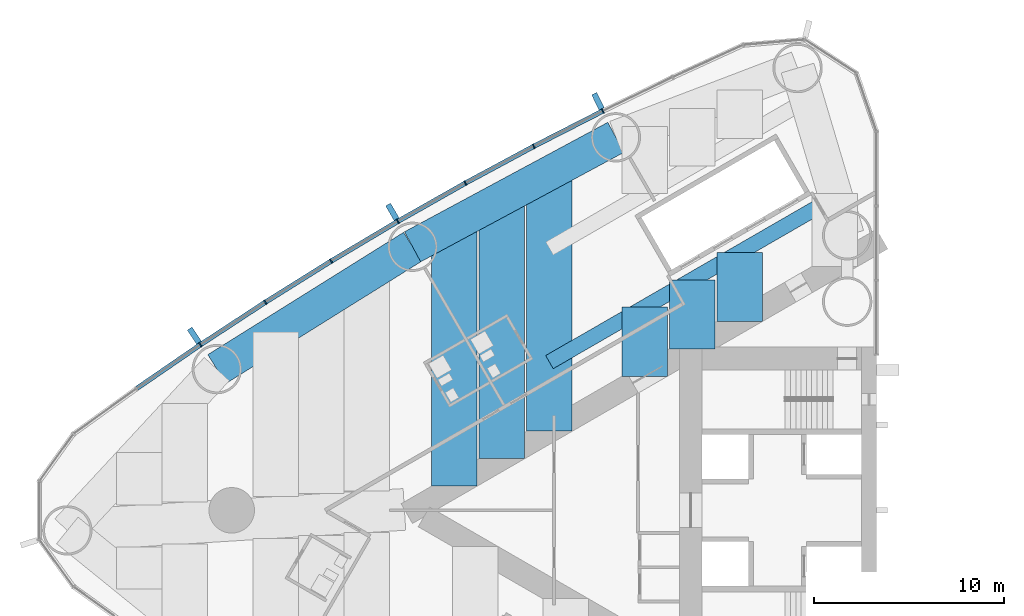
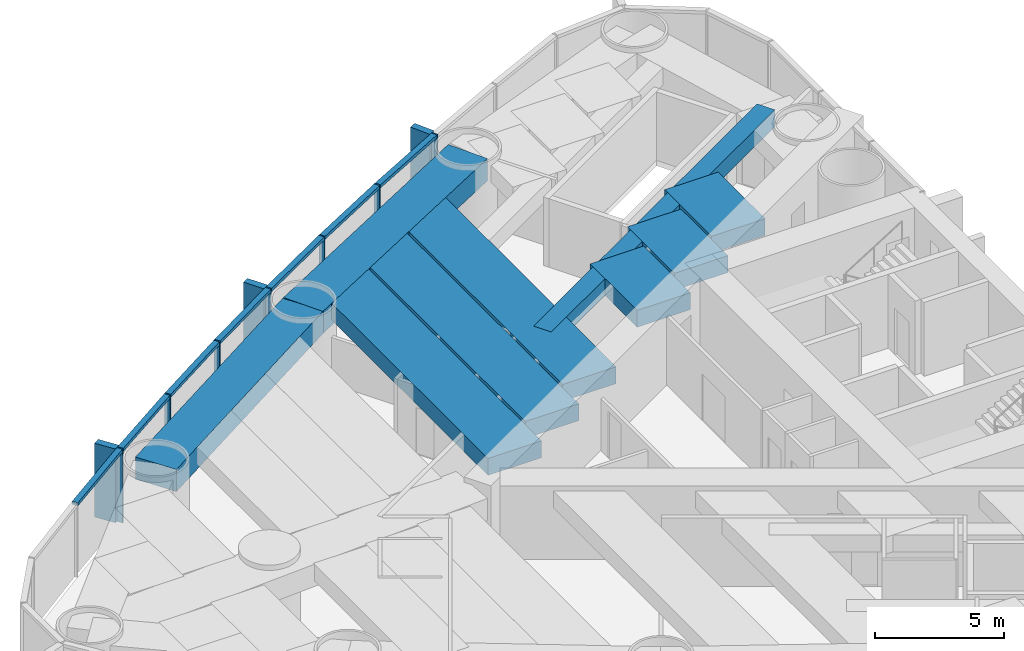
# One storey, part 4 of 18: 17 members, 9 beams, 1 element without a shape of its own.
"""IFC4 building model written with IfcOpenShell, lengths in metres."""

from ifc_helpers import new_model, si_unit, direction, frame, origin, origin_2d, place, context, subcontext, project, spatial, rectangle, hollow_rectangle, extrude, material, material_profile, profile_set, type_object, element, aggregate, save


model = new_model("IFC4")

# Units and contexts
model_context = context("Model", 3, precision=1e-05, world=origin(), true_north=direction((0.0, 1.0)))
body_context = subcontext(model_context, "Body", "Model", "MODEL_VIEW")
ifc_project = project(units=[si_unit("LENGTHUNIT", "METRE"), si_unit("AREAUNIT", "SQUARE_METRE"), si_unit("VOLUMEUNIT", "CUBIC_METRE"), si_unit("PLANEANGLEUNIT", "RADIAN"), si_unit("MASSUNIT", "GRAM", prefix="KILO")], contexts=[model_context])

# Site, building, storey
site_placement = place(None, origin())
site = spatial("IfcSite", under=ifc_project, at=site_placement, CompositionType="ELEMENT")
building_placement = place(site_placement, origin())
building = spatial("IfcBuilding", under=site, at=building_placement, Name="Lancet Gate Hotel", CompositionType="ELEMENT")
storey_placement = place(building_placement, frame((0.0, 0.0, 118.60009765625)))
storey = spatial("IfcBuildingStorey", under=building, at=storey_placement, Name="L31", CompositionType="ELEMENT", Elevation=118.60009765625)

# Curtain wall, members
ifc_material_1 = material(Name="Aluminium curtain wall", Category="aluminium")
curtain_wall_type = type_object("IfcCurtainWallType", Name="Tower unitised curtain wall", PredefinedType="USERDEFINED", material=ifc_material_1)
curtain_wall_placement = place(storey_placement, origin())
curtain_wall = element("IfcCurtainWall", 1, at=curtain_wall_placement, inside=storey, type_object=curtain_wall_type, Name="T1 L31 curtain wall 1", ObjectType="UNITISED CURTAIN WALL", PredefinedType="USERDEFINED")
ifc_material_2 = material(Name="Aluminium mullion", Category="aluminium")
ifc_material_profile_1 = material_profile(ifc_material_2, rectangle(XDim=0.06494140625, YDim=0.25, at=origin_2d()), Name="MULLION 65x250")
ifc_profile_set_1 = profile_set([ifc_material_profile_1], Name="Aluminium mullion")
member_type_1 = type_object("IfcMemberType", Name="Aluminium mullion 65x250", PredefinedType="MULLION", material=ifc_profile_set_1)
member_1_placement = place(storey_placement, frame((-41.935302734375, 21.053466796875, 0.0), z_axis=(0.0, 0.0, 1.0), x_axis=(-0.895339445458, -0.445384415317, 0.0)))
member_1 = element("IfcMember", 2, at=member_1_placement, type_object=member_type_1, Name="T1 L31 curtain wall 1 mullion 9", PredefinedType="MULLION", context=body_context, shape_type="SweptSolid", body=[
    extrude(rectangle(XDim=0.06494140625, YDim=0.25, at=origin_2d()), origin(), (0.0, 0.0, 1.0), 3.5),
])
member_2_placement = place(storey_placement, frame((-45.578857421875, 19.19189453125, 0.0), z_axis=(0.0, 0.0, 1.0), x_axis=(-0.885544335517, -0.46455487279, 0.0)))
member_2 = element("IfcMember", 3, at=member_2_placement, type_object=member_type_1, Name="T1 L31 curtain wall 1 mullion 10", PredefinedType="MULLION", context=body_context, shape_type="SweptSolid", body=[
    extrude(rectangle(XDim=0.06494140625, YDim=0.25, at=origin_2d()), origin(), (0.0, 0.0, 1.0), 3.5),
])
member_3_placement = place(storey_placement, frame((-49.181640625, 17.252197265625, 0.0), z_axis=(0.0, 0.0, 1.0), x_axis=(-0.875338819507, -0.48351003202, 0.0)))
member_3 = element("IfcMember", 4, at=member_3_placement, type_object=member_type_1, Name="T1 L31 curtain wall 1 mullion 11", PredefinedType="MULLION", context=body_context, shape_type="SweptSolid", body=[
    extrude(rectangle(XDim=0.06494140625, YDim=0.25, at=origin_2d()), origin(), (0.0, 0.0, 1.0), 3.5),
])
member_4_placement = place(storey_placement, frame((-52.74169921875, 15.2353515625, 0.0), z_axis=(0.0, 0.0, 1.0), x_axis=(-0.86472762718, -0.502241108226, 0.0)))
member_4 = element("IfcMember", 5, at=member_4_placement, type_object=member_type_1, Name="T1 L31 curtain wall 1 mullion 12", PredefinedType="MULLION", context=body_context, shape_type="SweptSolid", body=[
    extrude(rectangle(XDim=0.06494140625, YDim=0.25, at=origin_2d()), origin(), (0.0, 0.0, 1.0), 3.5),
])
member_5_placement = place(storey_placement, frame((-56.257568359375, 13.142333984375, 0.0), z_axis=(0.0, 0.0, 1.0), x_axis=(-0.853715676299, -0.52073942048, 0.0)))
member_5 = element("IfcMember", 6, at=member_5_placement, type_object=member_type_1, Name="T1 L31 curtain wall 1 mullion 13", PredefinedType="MULLION", context=body_context, shape_type="SweptSolid", body=[
    extrude(rectangle(XDim=0.06494140625, YDim=0.25, at=origin_2d()), origin(), (0.0, 0.0, 1.0), 3.5),
])
member_6_placement = place(storey_placement, frame((-59.7275390625, 10.974365234375, 0.0), z_axis=(0.0, 0.0, 1.0), x_axis=(-0.84230807036, -0.538996395727, 0.0)))
member_6 = element("IfcMember", 7, at=member_6_placement, type_object=member_type_1, Name="T1 L31 curtain wall 1 mullion 14", PredefinedType="MULLION", context=body_context, shape_type="SweptSolid", body=[
    extrude(rectangle(XDim=0.06494140625, YDim=0.25, at=origin_2d()), origin(), (0.0, 0.0, 1.0), 3.5),
])
member_7_placement = place(storey_placement, frame((-63.14990234375, 8.73193359375, 0.0), z_axis=(0.0, 0.0, 1.0), x_axis=(-0.830510096234, -0.557003572747, 0.0)))
member_7 = element("IfcMember", 8, at=member_7_placement, type_object=member_type_1, Name="T1 L31 curtain wall 1 mullion 15", PredefinedType="MULLION", context=body_context, shape_type="SweptSolid", body=[
    extrude(rectangle(XDim=0.06494140625, YDim=0.25, at=origin_2d()), origin(), (0.0, 0.0, 1.0), 3.5),
])
ifc_material_3 = material(Name="Aluminium transom", Category="aluminium")
ifc_material_profile_2 = material_profile(ifc_material_3, rectangle(XDim=0.25, YDim=0.14990234375, at=origin_2d()), Name="TRANSOM 250x150")
ifc_profile_set_2 = profile_set([ifc_material_profile_2], Name="Aluminium transom")
member_type_2 = type_object("IfcMemberType", Name="Aluminium transom 250x150", PredefinedType="USERDEFINED", material=ifc_profile_set_2)
member_8_placement = place(storey_placement, frame((-41.96435546875, 21.038818359375, 3.4248046875), z_axis=(-0.89047617483, -0.455029869415, 0.0), x_axis=(0.455029869415, -0.89047617483, 0.0)))
member_8 = element("IfcMember", 9, at=member_8_placement, type_object=member_type_2, Name="T1 L31 curtain wall 1 transom 9", ObjectType="TRANSOM", PredefinedType="USERDEFINED", context=body_context, shape_type="SweptSolid", body=[
    extrude(rectangle(XDim=0.25, YDim=0.14990234375, at=origin_2d()), origin(), (0.0, 0.0, 1.0), 4.026611328125),
])
member_9_placement = place(storey_placement, frame((-45.607421875, 19.176513671875, 3.4248046875), z_axis=(-0.880498353192, -0.474049206335, 0.0), x_axis=(0.474049206335, -0.880498353192, 0.0)))
member_9 = element("IfcMember", 10, at=member_9_placement, type_object=member_type_2, Name="T1 L31 curtain wall 1 transom 10", ObjectType="TRANSOM", PredefinedType="USERDEFINED", context=body_context, shape_type="SweptSolid", body=[
    extrude(rectangle(XDim=0.25, YDim=0.14990234375, at=origin_2d()), origin(), (0.0, 0.0, 1.0), 4.02685546875),
])
member_10_placement = place(storey_placement, frame((-49.2099609375, 17.236083984375, 3.4248046875), z_axis=(-0.870091531013, -0.492890178091, 0.0), x_axis=(0.492890178091, -0.870091531013, 0.0)))
member_10 = element("IfcMember", 11, at=member_10_placement, type_object=member_type_2, Name="T1 L31 curtain wall 1 transom 11", ObjectType="TRANSOM", PredefinedType="USERDEFINED", context=body_context, shape_type="SweptSolid", body=[
    extrude(rectangle(XDim=0.25, YDim=0.14990234375, at=origin_2d()), origin(), (0.0, 0.0, 1.0), 4.026611328125),
])
member_11_placement = place(storey_placement, frame((-52.76953125, 15.21875, 3.4248046875), z_axis=(-0.859285270342, -0.511496651186, 0.0), x_axis=(0.511496651186, -0.859285270342, 0.0)))
member_11 = element("IfcMember", 12, at=member_11_placement, type_object=member_type_2, Name="T1 L31 curtain wall 1 transom 12", ObjectType="TRANSOM", PredefinedType="USERDEFINED", context=body_context, shape_type="SweptSolid", body=[
    extrude(rectangle(XDim=0.25, YDim=0.14990234375, at=origin_2d()), origin(), (0.0, 0.0, 1.0), 4.026611328125),
])
member_12_placement = place(storey_placement, frame((-56.28515625, 13.125244140625, 3.4248046875), z_axis=(-0.848049393821, -0.529917187531, 0.0), x_axis=(0.529917187531, -0.848049393821, 0.0)))
member_12 = element("IfcMember", 13, at=member_12_placement, type_object=member_type_2, Name="T1 L31 curtain wall 1 transom 13", ObjectType="TRANSOM", PredefinedType="USERDEFINED", context=body_context, shape_type="SweptSolid", body=[
    extrude(rectangle(XDim=0.25, YDim=0.14990234375, at=origin_2d()), origin(), (0.0, 0.0, 1.0), 4.026611328125),
])
member_13_placement = place(storey_placement, frame((-59.754638671875, 10.95654296875, 3.4248046875), z_axis=(-0.83645442085, -0.548036496815, 0.0), x_axis=(0.548036496815, -0.83645442085, 0.0)))
member_13 = element("IfcMember", 14, at=member_13_placement, type_object=member_type_2, Name="T1 L31 curtain wall 1 transom 14", ObjectType="TRANSOM", PredefinedType="USERDEFINED", context=body_context, shape_type="SweptSolid", body=[
    extrude(rectangle(XDim=0.25, YDim=0.14990234375, at=origin_2d()), origin(), (0.0, 0.0, 1.0), 4.026611328125),
])
member_14_placement = place(storey_placement, frame((-63.1767578125, 8.713623046875, 3.4248046875), z_axis=(-0.824455665247, -0.565926546508, 0.0), x_axis=(0.565926546508, -0.824455665247, 0.0)))
member_14 = element("IfcMember", 15, at=member_14_placement, type_object=member_type_2, Name="T1 L31 curtain wall 1 transom 15", ObjectType="TRANSOM", PredefinedType="USERDEFINED", context=body_context, shape_type="SweptSolid", body=[
    extrude(rectangle(XDim=0.25, YDim=0.14990234375, at=origin_2d()), origin(), (0.0, 0.0, 1.0), 4.026611328125),
])

# Beams
ifc_material_4 = material(Name="Concrete C50/60", Category="concrete")
ifc_material_profile_3 = material_profile(ifc_material_4, rectangle(XDim=1.800048828125, YDim=1.050048828125, at=origin_2d()), Name="RC 1800x1050")
ifc_profile_set_3 = profile_set([ifc_material_profile_3], Name="Concrete C50/60")
beam_type_1 = type_object("IfcBeamType", Name="Edge beam RC 1800x1050", PredefinedType="SPANDREL", material=ifc_profile_set_3)
for number, where, z_axis, x_axis, name in (
    (16, (-41.244873046875, 19.665771484375, 2.724853515625), (-0.880492350889, -0.474060354835, 0.0), (0.474060354835, -0.880492350889, 0.0), "T1 edge beam EB1 L31"),
    (17, (-51.963134765625, 13.89501953125, 2.724853515625), (-0.848062521637, -0.529896177939, 0.0), (0.529896177939, -0.848062521637, 0.0), "T1 edge beam EB1 L31"),
):
    element("IfcBeam", number, at=place(storey_placement, frame(where, z_axis=z_axis, x_axis=x_axis)), inside=storey, type_object=beam_type_1, Name=name, PredefinedType="SPANDREL", context=body_context, shape_type="SweptSolid", body=[
        extrude(rectangle(XDim=1.800048828125, YDim=1.050048828125, at=origin_2d()), origin(), (0.0, 0.0, 1.0), 12.173095703125),
    ])

# Member
ifc_material_5 = material(Name="Precast concrete C50/60", Category="concrete")
ifc_material_profile_4 = material_profile(ifc_material_5, rectangle(XDim=0.300048828125, YDim=0.89990234375, at=origin_2d()), Name="FIN 300x900")
ifc_profile_set_4 = profile_set([ifc_material_profile_4], Name="Precast concrete C50/60")
member_type_3 = type_object("IfcMemberType", Name="Exposed concrete fin 300x900", PredefinedType="USERDEFINED", material=ifc_profile_set_4)
member_15_placement = place(storey_placement, frame((-42.19140625, 21.568359375, 0.0), z_axis=(0.0, 0.0, 1.0), x_axis=(-0.895339445458, -0.445384415317, 0.0)))
member_15 = element("IfcMember", 18, at=member_15_placement, type_object=member_type_3, Name="T1 L31 curtain wall 1 fin 9", ObjectType="FIN", PredefinedType="USERDEFINED", context=body_context, shape_type="SweptSolid", body=[
    extrude(rectangle(XDim=0.300048828125, YDim=0.89990234375, at=origin_2d()), origin(), (0.0, 0.0, 1.0), 3.5),
])

member_16_placement = place(storey_placement, frame((-53.030517578125, 15.732666015625, 0.0), z_axis=(0.0, 0.0, 1.0), x_axis=(-0.86472762718, -0.502241108226, 0.0)))
member_16 = element("IfcMember", 19, at=member_16_placement, type_object=member_type_3, Name="T1 L31 curtain wall 1 fin 12", ObjectType="FIN", PredefinedType="USERDEFINED", context=body_context, shape_type="SweptSolid", body=[
    extrude(rectangle(XDim=0.300048828125, YDim=0.89990234375, at=origin_2d()), origin(), (0.0, 0.0, 1.0), 3.5),
])

member_17_placement = place(storey_placement, frame((-63.47021484375, 9.20947265625, 0.0), z_axis=(0.0, 0.0, 1.0), x_axis=(-0.830510096234, -0.557003572747, 0.0)))
member_17 = element("IfcMember", 20, at=member_17_placement, type_object=member_type_3, Name="T1 L31 curtain wall 1 fin 15", ObjectType="FIN", PredefinedType="USERDEFINED", context=body_context, shape_type="SweptSolid", body=[
    extrude(rectangle(XDim=0.300048828125, YDim=0.89990234375, at=origin_2d()), origin(), (0.0, 0.0, 1.0), 3.5),
])

aggregate(curtain_wall, [member_1, member_15, member_2, member_3, member_4, member_16, member_5, member_6, member_7, member_17, member_8, member_9, member_10, member_11, member_12, member_13, member_14])

# Beams
ifc_material_6 = material(Name="Concrete C50/60", Category="concrete")
ifc_material_profile_5 = material_profile(ifc_material_6, rectangle(XDim=2.39990234375, YDim=0.800048828125, at=origin_2d()), Name="RC 2400x800")
ifc_profile_set_5 = profile_set([ifc_material_profile_5], Name="Concrete C50/60")
beam_type_2 = type_object("IfcBeamType", Name="Floor beam RC 2400x800", PredefinedType="BEAM", material=ifc_profile_set_5)
beam_1_placement = place(storey_placement, frame((-44.747802734375, 17.77978515625, 2.849853515625), z_axis=(0.0, -1.0, 0.0), x_axis=(1.0, 0.0, 0.0)))
element("IfcBeam", 21, at=beam_1_placement, inside=storey, type_object=beam_type_2, Name="T1 floor beam F09S L31", PredefinedType="BEAM", context=body_context, shape_type="SweptSolid", body=[
    extrude(rectangle(XDim=2.39990234375, YDim=0.800048828125, at=origin_2d()), origin(), (0.0, 0.0, 1.0), 13.611083984375),
])
beam_2_placement = place(storey_placement, frame((-47.254638671875, 16.43017578125, 2.849853515625), z_axis=(0.0, -1.0, 0.0), x_axis=(1.0, 0.0, 0.0)))
element("IfcBeam", 22, at=beam_2_placement, inside=storey, type_object=beam_type_2, Name="T1 floor beam F10S L31", PredefinedType="BEAM", context=body_context, shape_type="SweptSolid", body=[
    extrude(rectangle(XDim=2.39990234375, YDim=0.800048828125, at=origin_2d()), origin(), (0.0, 0.0, 1.0), 13.708740234375),
])
beam_3_placement = place(storey_placement, frame((-49.761474609375, 15.08056640625, 2.849853515625), z_axis=(0.0, -1.0, 0.0), x_axis=(1.0, 0.0, 0.0)))
element("IfcBeam", 23, at=beam_3_placement, inside=storey, type_object=beam_type_2, Name="T1 floor beam F12S L31", PredefinedType="BEAM", context=body_context, shape_type="SweptSolid", body=[
    extrude(rectangle(XDim=2.39990234375, YDim=0.800048828125, at=origin_2d()), origin(), (0.0, 0.0, 1.0), 13.806396484375),
])
beam_4_placement = place(storey_placement, frame((-34.720458984375, 13.603759765625, 2.849853515625), z_axis=(0.0, -1.0, 0.0), x_axis=(1.0, 0.0, 0.0)))
element("IfcBeam", 24, at=beam_4_placement, inside=storey, type_object=beam_type_2, Name="T1 floor beam F04SB L31", PredefinedType="BEAM", context=body_context, shape_type="SweptSolid", body=[
    extrude(rectangle(XDim=2.39990234375, YDim=0.800048828125, at=origin_2d()), origin(), (0.0, 0.0, 1.0), 3.645751953125),
])
beam_5_placement = place(storey_placement, frame((-37.227294921875, 12.15625, 2.849853515625), z_axis=(0.0, -1.0, 0.0), x_axis=(1.0, 0.0, 0.0)))
element("IfcBeam", 25, at=beam_5_placement, inside=storey, type_object=beam_type_2, Name="T1 floor beam F05SB L31", PredefinedType="BEAM", context=body_context, shape_type="SweptSolid", body=[
    extrude(rectangle(XDim=2.39990234375, YDim=0.800048828125, at=origin_2d()), origin(), (0.0, 0.0, 1.0), 3.6455078125),
])
beam_6_placement = place(storey_placement, frame((-39.734130859375, 10.708740234375, 2.849853515625), z_axis=(0.0, -1.0, 0.0), x_axis=(1.0, 0.0, 0.0)))
element("IfcBeam", 26, at=beam_6_placement, inside=storey, type_object=beam_type_2, Name="T1 floor beam F07SB L31", PredefinedType="BEAM", context=body_context, shape_type="SweptSolid", body=[
    extrude(rectangle(XDim=2.39990234375, YDim=0.800048828125, at=origin_2d()), origin(), (0.0, 0.0, 1.0), 3.645263671875),
])
ifc_material_7 = material(Name="Steel S460QL", Category="steel")
ifc_material_profile_6 = material_profile(ifc_material_7, hollow_rectangle(XDim=0.800048828125, YDim=0.800048828125, WallThickness=0.080078125, at=origin_2d()), Name="BOX 800x800x80")
ifc_profile_set_6 = profile_set([ifc_material_profile_6], Name="Steel S460QL")
beam_type_3 = type_object("IfcBeamType", Name="Trimmer beam BOX 800x800x80", PredefinedType="BEAM", material=ifc_profile_set_6)
beam_7_placement = place(storey_placement, frame((-29.706787109375, 16.49853515625, 2.849853515625), z_axis=(-0.866003462672, -0.500038001195, 0.0), x_axis=(0.500038001195, -0.866003462672, 0.0)))
element("IfcBeam", 27, at=beam_7_placement, inside=storey, type_object=beam_type_3, Name="T1 trimmer beam TR02S L31", PredefinedType="BEAM", context=body_context, shape_type="SweptSolid", body=[
    extrude(hollow_rectangle(XDim=0.800048828125, YDim=0.800048828125, WallThickness=0.080078125, at=origin_2d()), origin(), (0.0, 0.0, 1.0), 17.368408203125),
])

save(model, "model.ifc")
